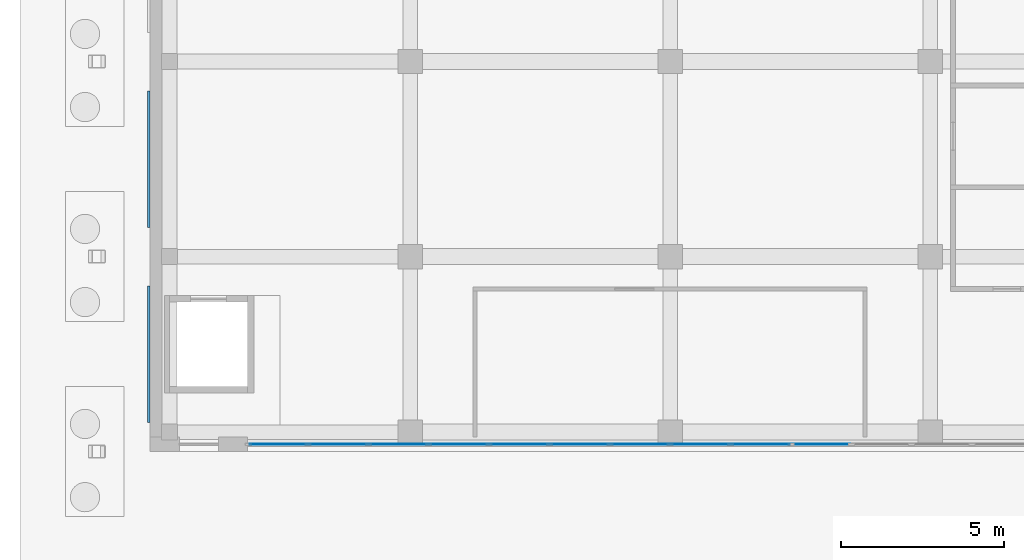
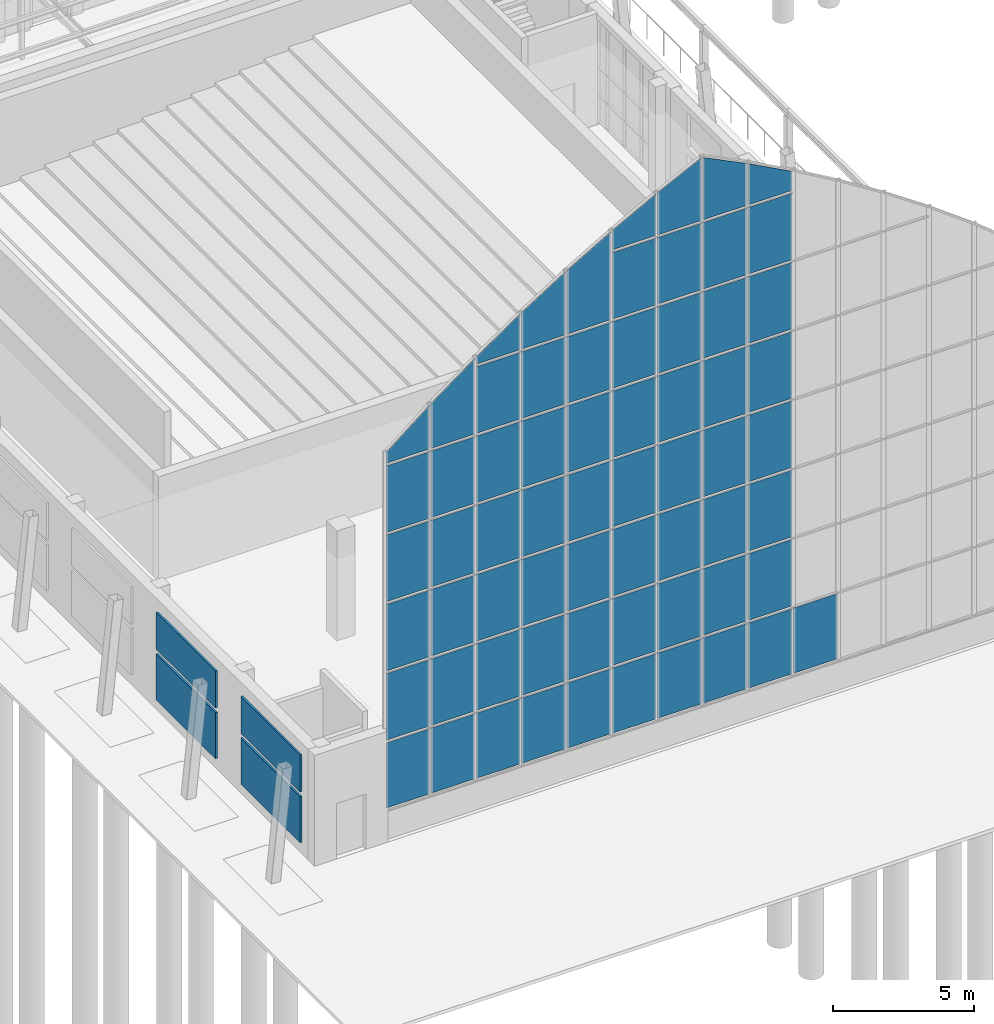
# One storey, part 85 of 144: 70 plates, 1 element without a shape of its own.
"""IFC4 building model written with IfcOpenShell, lengths in metres."""

from ifc_helpers import new_model, si_unit, direction, frame, origin, origin_2d, place, context, subcontext, project, spatial, polyline, rectangle, outline, extrude, material, layer, layer_set, type_object, element, aggregate, save


model = new_model("IFC4")

# Units and contexts
model_context = context("Model", 3, precision=1e-05, world=origin(), true_north=direction((0.0, 1.0)))
body_context = subcontext(model_context, "Body", "Model", "MODEL_VIEW")
ifc_project = project(units=[si_unit("LENGTHUNIT", "METRE"), si_unit("AREAUNIT", "SQUARE_METRE"), si_unit("VOLUMEUNIT", "CUBIC_METRE"), si_unit("PLANEANGLEUNIT", "RADIAN"), si_unit("MASSUNIT", "GRAM", prefix="KILO")], contexts=[model_context])

# Site, building, storey
site_placement = place(None, origin())
site = spatial("IfcSite", under=ifc_project, at=site_placement, CompositionType="ELEMENT")
building_placement = place(site_placement, origin())
building = spatial("IfcBuilding", under=site, at=building_placement, Name="Lantern Court Media Centre", CompositionType="ELEMENT")
storey_placement = place(building_placement, origin())
storey = spatial("IfcBuildingStorey", under=building, at=storey_placement, Name="L00", CompositionType="ELEMENT", Elevation=0.0)

# Curtain wall, plates
ifc_material_1 = material(Name="Aluminium and glass", Category="aluminium")
ifc_layer_1 = layer(ifc_material_1, 0.14990234375)
ifc_layer_set_1 = layer_set([ifc_layer_1], Name="Aluminium and glass")
curtain_wall_type = type_object("IfcCurtainWallType", Name="Hall lancet glazing", PredefinedType="NOTDEFINED", material=ifc_layer_set_1)
curtain_wall_placement = place(storey_placement, origin())
curtain_wall = element("IfcCurtainWall", 1, at=curtain_wall_placement, inside=storey, type_object=curtain_wall_type, Name="Cinema Hall HCW-V10 glazing", PredefinedType="NOTDEFINED")
ifc_material_2 = material(Name="Laminated glass 6+6", Category="glass")
ifc_layer_2 = layer(ifc_material_2, 0.028076171875)
ifc_layer_set_2 = layer_set([ifc_layer_2], Name="Laminated glass 6+6")
plate_type_1 = type_object("IfcPlateType", Name="HP", PredefinedType="CURTAIN_PANEL", material=ifc_layer_set_2)
plate_1_placement = place(storey_placement, frame((3.943603515625, -1.77490234375, 1.31982421875), z_axis=(0.0, 0.0, 1.0), x_axis=(1.0, 0.0, 0.0)))
plate_1 = element("IfcPlate", 2, at=plate_1_placement, type_object=plate_type_1, Name="HCW-V10 panel 1.1", PredefinedType="CURTAIN_PANEL", context=body_context, shape_type="SweptSolid", body=[
    extrude(rectangle(XDim=1.76708984375, YDim=0.028076171875, at=origin_2d()), origin(), (0.0, 0.0, 1.0), 2.820068359375),
])
plate_2_placement = place(storey_placement, frame((3.943603515625, -1.77490234375, 4.260009765625), z_axis=(0.0, 0.0, 1.0), x_axis=(1.0, 0.0, 0.0)))
plate_2 = element("IfcPlate", 3, at=plate_2_placement, type_object=plate_type_1, Name="HCW-V10 panel 1.2", PredefinedType="CURTAIN_PANEL", context=body_context, shape_type="SweptSolid", body=[
    extrude(rectangle(XDim=1.76708984375, YDim=0.028076171875, at=origin_2d()), origin(), (0.0, 0.0, 1.0), 2.8798828125),
])
plate_3_placement = place(storey_placement, frame((3.943603515625, -1.77490234375, 7.260009765625), z_axis=(0.0, 0.0, 1.0), x_axis=(1.0, 0.0, 0.0)))
plate_3 = element("IfcPlate", 4, at=plate_3_placement, type_object=plate_type_1, Name="HCW-V10 panel 1.3", PredefinedType="CURTAIN_PANEL", context=body_context, shape_type="SweptSolid", body=[
    extrude(rectangle(XDim=1.76708984375, YDim=0.028076171875, at=origin_2d()), origin(), (0.0, 0.0, 1.0), 2.8798828125),
])
plate_4_placement = place(storey_placement, frame((3.943603515625, -1.77490234375, 10.260009765625), z_axis=(0.0, 0.0, 1.0), x_axis=(1.0, 0.0, 0.0)))
plate_4 = element("IfcPlate", 5, at=plate_4_placement, type_object=plate_type_1, Name="HCW-V10 panel 1.4", PredefinedType="CURTAIN_PANEL", context=body_context, shape_type="SweptSolid", body=[
    extrude(rectangle(XDim=1.76708984375, YDim=0.028076171875, at=origin_2d()), origin(), (0.0, 0.0, 1.0), 2.8798828125),
])
plate_5_placement = place(storey_placement, frame((3.943603515625, -1.77490234375, 13.260009765625), z_axis=(0.0, 0.0, 1.0), x_axis=(1.0, 0.0, 0.0)))
plate_5 = element("IfcPlate", 6, at=plate_5_placement, type_object=plate_type_1, Name="HCW-V10 panel 1.5", PredefinedType="CURTAIN_PANEL", context=body_context, shape_type="SweptSolid", body=[
    extrude(rectangle(XDim=1.76708984375, YDim=0.028076171875, at=origin_2d()), origin(), (0.0, 0.0, 1.0), 2.8798828125),
])
plate_6_placement = place(storey_placement, frame((3.06005859375, -1.7890625, 16.260009765625), z_axis=(0.0, -1.0, 0.0), x_axis=(1.0, 0.0, 0.0)))
plate_6 = element("IfcPlate", 7, at=plate_6_placement, type_object=plate_type_1, Name="HCW-V10 head panel", PredefinedType="CURTAIN_PANEL", context=body_context, shape_type="SweptSolid", body=[
    extrude(outline(polyline([(0.0, 0.0), (1.76708984375, 0.0), (1.76708984375, 1.883056640625), (0.0, 0.46142578125), (0.0, 0.0)])), origin(), (0.0, 0.0, -1.0), 0.028076171875),
])
plate_7_placement = place(storey_placement, frame((5.78564453125, -1.77490234375, 1.31982421875), z_axis=(0.0, 0.0, 1.0), x_axis=(1.0, 0.0, 0.0)))
plate_7 = element("IfcPlate", 8, at=plate_7_placement, type_object=plate_type_1, Name="HCW-V10 panel 2.1", PredefinedType="CURTAIN_PANEL", context=body_context, shape_type="SweptSolid", body=[
    extrude(rectangle(XDim=1.797119140625, YDim=0.028076171875, at=origin_2d()), origin(), (0.0, 0.0, 1.0), 2.820068359375),
])
plate_8_placement = place(storey_placement, frame((5.78564453125, -1.77490234375, 4.260009765625), z_axis=(0.0, 0.0, 1.0), x_axis=(1.0, 0.0, 0.0)))
plate_8 = element("IfcPlate", 9, at=plate_8_placement, type_object=plate_type_1, Name="HCW-V10 panel 2.2", PredefinedType="CURTAIN_PANEL", context=body_context, shape_type="SweptSolid", body=[
    extrude(rectangle(XDim=1.797119140625, YDim=0.028076171875, at=origin_2d()), origin(), (0.0, 0.0, 1.0), 2.8798828125),
])
plate_9_placement = place(storey_placement, frame((5.78564453125, -1.77490234375, 7.260009765625), z_axis=(0.0, 0.0, 1.0), x_axis=(1.0, 0.0, 0.0)))
plate_9 = element("IfcPlate", 10, at=plate_9_placement, type_object=plate_type_1, Name="HCW-V10 panel 2.3", PredefinedType="CURTAIN_PANEL", context=body_context, shape_type="SweptSolid", body=[
    extrude(rectangle(XDim=1.797119140625, YDim=0.028076171875, at=origin_2d()), origin(), (0.0, 0.0, 1.0), 2.8798828125),
])
plate_10_placement = place(storey_placement, frame((5.78564453125, -1.77490234375, 10.260009765625), z_axis=(0.0, 0.0, 1.0), x_axis=(1.0, 0.0, 0.0)))
plate_10 = element("IfcPlate", 11, at=plate_10_placement, type_object=plate_type_1, Name="HCW-V10 panel 2.4", PredefinedType="CURTAIN_PANEL", context=body_context, shape_type="SweptSolid", body=[
    extrude(rectangle(XDim=1.797119140625, YDim=0.028076171875, at=origin_2d()), origin(), (0.0, 0.0, 1.0), 2.8798828125),
])
plate_11_placement = place(storey_placement, frame((5.78564453125, -1.77490234375, 13.260009765625), z_axis=(0.0, 0.0, 1.0), x_axis=(1.0, 0.0, 0.0)))
plate_11 = element("IfcPlate", 12, at=plate_11_placement, type_object=plate_type_1, Name="HCW-V10 panel 2.5", PredefinedType="CURTAIN_PANEL", context=body_context, shape_type="SweptSolid", body=[
    extrude(rectangle(XDim=1.797119140625, YDim=0.028076171875, at=origin_2d()), origin(), (0.0, 0.0, 1.0), 2.8798828125),
])
plate_12_placement = place(storey_placement, frame((4.88720703125, -1.7890625, 16.260009765625), z_axis=(0.0, -1.0, 0.0), x_axis=(1.0, 0.0, 0.0)))
plate_12 = element("IfcPlate", 13, at=plate_12_placement, type_object=plate_type_1, Name="HCW-V10 head panel", PredefinedType="CURTAIN_PANEL", context=body_context, shape_type="SweptSolid", body=[
    extrude(outline(polyline([(0.0, 0.0), (1.797119140625, 0.0), (1.797119140625, 3.263427734375), (0.0, 1.929443359375), (0.0, 0.0)])), origin(), (0.0, 0.0, -1.0), 0.028076171875),
])
plate_13_placement = place(storey_placement, frame((7.642822265625, -1.77490234375, 1.31982421875), z_axis=(0.0, 0.0, 1.0), x_axis=(1.0, 0.0, 0.0)))
plate_13 = element("IfcPlate", 14, at=plate_13_placement, type_object=plate_type_1, Name="HCW-V10 panel 3.1", PredefinedType="CURTAIN_PANEL", context=body_context, shape_type="SweptSolid", body=[
    extrude(rectangle(XDim=1.797119140625, YDim=0.028076171875, at=origin_2d()), origin(), (0.0, 0.0, 1.0), 2.820068359375),
])
plate_14_placement = place(storey_placement, frame((7.642822265625, -1.77490234375, 4.260009765625), z_axis=(0.0, 0.0, 1.0), x_axis=(1.0, 0.0, 0.0)))
plate_14 = element("IfcPlate", 15, at=plate_14_placement, type_object=plate_type_1, Name="HCW-V10 panel 3.2", PredefinedType="CURTAIN_PANEL", context=body_context, shape_type="SweptSolid", body=[
    extrude(rectangle(XDim=1.797119140625, YDim=0.028076171875, at=origin_2d()), origin(), (0.0, 0.0, 1.0), 2.8798828125),
])
plate_15_placement = place(storey_placement, frame((7.642822265625, -1.77490234375, 7.260009765625), z_axis=(0.0, 0.0, 1.0), x_axis=(1.0, 0.0, 0.0)))
plate_15 = element("IfcPlate", 16, at=plate_15_placement, type_object=plate_type_1, Name="HCW-V10 panel 3.3", PredefinedType="CURTAIN_PANEL", context=body_context, shape_type="SweptSolid", body=[
    extrude(rectangle(XDim=1.797119140625, YDim=0.028076171875, at=origin_2d()), origin(), (0.0, 0.0, 1.0), 2.8798828125),
])
plate_16_placement = place(storey_placement, frame((7.642822265625, -1.77490234375, 10.260009765625), z_axis=(0.0, 0.0, 1.0), x_axis=(1.0, 0.0, 0.0)))
plate_16 = element("IfcPlate", 17, at=plate_16_placement, type_object=plate_type_1, Name="HCW-V10 panel 3.4", PredefinedType="CURTAIN_PANEL", context=body_context, shape_type="SweptSolid", body=[
    extrude(rectangle(XDim=1.797119140625, YDim=0.028076171875, at=origin_2d()), origin(), (0.0, 0.0, 1.0), 2.8798828125),
])
plate_17_placement = place(storey_placement, frame((7.642822265625, -1.77490234375, 13.260009765625), z_axis=(0.0, 0.0, 1.0), x_axis=(1.0, 0.0, 0.0)))
plate_17 = element("IfcPlate", 18, at=plate_17_placement, type_object=plate_type_1, Name="HCW-V10 panel 3.5", PredefinedType="CURTAIN_PANEL", context=body_context, shape_type="SweptSolid", body=[
    extrude(rectangle(XDim=1.797119140625, YDim=0.028076171875, at=origin_2d()), origin(), (0.0, 0.0, 1.0), 2.8798828125),
])
plate_18_placement = place(storey_placement, frame((7.642822265625, -1.77490234375, 16.260009765625), z_axis=(0.0, 0.0, 1.0), x_axis=(1.0, 0.0, 0.0)))
plate_18 = element("IfcPlate", 19, at=plate_18_placement, type_object=plate_type_1, Name="HCW-V10 panel 3.6", PredefinedType="CURTAIN_PANEL", context=body_context, shape_type="SweptSolid", body=[
    extrude(rectangle(XDim=1.797119140625, YDim=0.028076171875, at=origin_2d()), origin(), (0.0, 0.0, 1.0), 2.8798828125),
])
plate_19_placement = place(storey_placement, frame((6.744384765625, -1.7890625, 19.260009765625), z_axis=(0.0, -1.0, 0.0), x_axis=(1.0, 0.0, 0.0)))
plate_19 = element("IfcPlate", 20, at=plate_19_placement, type_object=plate_type_1, Name="HCW-V10 head panel", PredefinedType="CURTAIN_PANEL", context=body_context, shape_type="SweptSolid", body=[
    extrude(outline(polyline([(0.0, 0.0), (1.797119140625, 0.0), (1.797119140625, 1.537353515625), (0.0, 0.306396484375), (0.0, 0.0)])), origin(), (0.0, 0.0, -1.0), 0.028076171875),
])
plate_20_placement = place(storey_placement, frame((9.5, -1.77490234375, 1.31982421875), z_axis=(0.0, 0.0, 1.0), x_axis=(1.0, 0.0, 0.0)))
plate_20 = element("IfcPlate", 21, at=plate_20_placement, type_object=plate_type_1, Name="HCW-V10 panel 4.1", PredefinedType="CURTAIN_PANEL", context=body_context, shape_type="SweptSolid", body=[
    extrude(rectangle(XDim=1.797119140625, YDim=0.028076171875, at=origin_2d()), origin(), (0.0, 0.0, 1.0), 2.820068359375),
])
plate_21_placement = place(storey_placement, frame((9.5, -1.77490234375, 4.260009765625), z_axis=(0.0, 0.0, 1.0), x_axis=(1.0, 0.0, 0.0)))
plate_21 = element("IfcPlate", 22, at=plate_21_placement, type_object=plate_type_1, Name="HCW-V10 panel 4.2", PredefinedType="CURTAIN_PANEL", context=body_context, shape_type="SweptSolid", body=[
    extrude(rectangle(XDim=1.797119140625, YDim=0.028076171875, at=origin_2d()), origin(), (0.0, 0.0, 1.0), 2.8798828125),
])
plate_22_placement = place(storey_placement, frame((9.5, -1.77490234375, 7.260009765625), z_axis=(0.0, 0.0, 1.0), x_axis=(1.0, 0.0, 0.0)))
plate_22 = element("IfcPlate", 23, at=plate_22_placement, type_object=plate_type_1, Name="HCW-V10 panel 4.3", PredefinedType="CURTAIN_PANEL", context=body_context, shape_type="SweptSolid", body=[
    extrude(rectangle(XDim=1.797119140625, YDim=0.028076171875, at=origin_2d()), origin(), (0.0, 0.0, 1.0), 2.8798828125),
])
plate_23_placement = place(storey_placement, frame((9.5, -1.77490234375, 10.260009765625), z_axis=(0.0, 0.0, 1.0), x_axis=(1.0, 0.0, 0.0)))
plate_23 = element("IfcPlate", 24, at=plate_23_placement, type_object=plate_type_1, Name="HCW-V10 panel 4.4", PredefinedType="CURTAIN_PANEL", context=body_context, shape_type="SweptSolid", body=[
    extrude(rectangle(XDim=1.797119140625, YDim=0.028076171875, at=origin_2d()), origin(), (0.0, 0.0, 1.0), 2.8798828125),
])
plate_24_placement = place(storey_placement, frame((9.5, -1.77490234375, 13.260009765625), z_axis=(0.0, 0.0, 1.0), x_axis=(1.0, 0.0, 0.0)))
plate_24 = element("IfcPlate", 25, at=plate_24_placement, type_object=plate_type_1, Name="HCW-V10 panel 4.5", PredefinedType="CURTAIN_PANEL", context=body_context, shape_type="SweptSolid", body=[
    extrude(rectangle(XDim=1.797119140625, YDim=0.028076171875, at=origin_2d()), origin(), (0.0, 0.0, 1.0), 2.8798828125),
])
plate_25_placement = place(storey_placement, frame((9.5, -1.77490234375, 16.260009765625), z_axis=(0.0, 0.0, 1.0), x_axis=(1.0, 0.0, 0.0)))
plate_25 = element("IfcPlate", 26, at=plate_25_placement, type_object=plate_type_1, Name="HCW-V10 panel 4.6", PredefinedType="CURTAIN_PANEL", context=body_context, shape_type="SweptSolid", body=[
    extrude(rectangle(XDim=1.797119140625, YDim=0.028076171875, at=origin_2d()), origin(), (0.0, 0.0, 1.0), 2.8798828125),
])
plate_26_placement = place(storey_placement, frame((8.601318359375, -1.7890625, 19.260009765625), z_axis=(0.0, -1.0, 0.0), x_axis=(1.0, 0.0, 0.0)))
plate_26 = element("IfcPlate", 27, at=plate_26_placement, type_object=plate_type_1, Name="HCW-V10 head panel", PredefinedType="CURTAIN_PANEL", context=body_context, shape_type="SweptSolid", body=[
    extrude(outline(polyline([(0.0, 0.0), (1.79736328125, 0.0), (1.79736328125, 2.712158203125), (0.0, 1.57666015625), (0.0, 0.0)])), origin(), (0.0, 0.0, -1.0), 0.028076171875),
])
plate_27_placement = place(storey_placement, frame((11.357177734375, -1.77490234375, 1.31982421875), z_axis=(0.0, 0.0, 1.0), x_axis=(1.0, 0.0, 0.0)))
plate_27 = element("IfcPlate", 28, at=plate_27_placement, type_object=plate_type_1, Name="HCW-V10 panel 5.1", PredefinedType="CURTAIN_PANEL", context=body_context, shape_type="SweptSolid", body=[
    extrude(rectangle(XDim=1.797119140625, YDim=0.028076171875, at=origin_2d()), origin(), (0.0, 0.0, 1.0), 2.820068359375),
])
plate_28_placement = place(storey_placement, frame((11.357177734375, -1.77490234375, 4.260009765625), z_axis=(0.0, 0.0, 1.0), x_axis=(1.0, 0.0, 0.0)))
plate_28 = element("IfcPlate", 29, at=plate_28_placement, type_object=plate_type_1, Name="HCW-V10 panel 5.2", PredefinedType="CURTAIN_PANEL", context=body_context, shape_type="SweptSolid", body=[
    extrude(rectangle(XDim=1.797119140625, YDim=0.028076171875, at=origin_2d()), origin(), (0.0, 0.0, 1.0), 2.8798828125),
])
plate_29_placement = place(storey_placement, frame((11.357177734375, -1.77490234375, 7.260009765625), z_axis=(0.0, 0.0, 1.0), x_axis=(1.0, 0.0, 0.0)))
plate_29 = element("IfcPlate", 30, at=plate_29_placement, type_object=plate_type_1, Name="HCW-V10 panel 5.3", PredefinedType="CURTAIN_PANEL", context=body_context, shape_type="SweptSolid", body=[
    extrude(rectangle(XDim=1.797119140625, YDim=0.028076171875, at=origin_2d()), origin(), (0.0, 0.0, 1.0), 2.8798828125),
])
plate_30_placement = place(storey_placement, frame((11.357177734375, -1.77490234375, 10.260009765625), z_axis=(0.0, 0.0, 1.0), x_axis=(1.0, 0.0, 0.0)))
plate_30 = element("IfcPlate", 31, at=plate_30_placement, type_object=plate_type_1, Name="HCW-V10 panel 5.4", PredefinedType="CURTAIN_PANEL", context=body_context, shape_type="SweptSolid", body=[
    extrude(rectangle(XDim=1.797119140625, YDim=0.028076171875, at=origin_2d()), origin(), (0.0, 0.0, 1.0), 2.8798828125),
])
plate_31_placement = place(storey_placement, frame((11.357177734375, -1.77490234375, 13.260009765625), z_axis=(0.0, 0.0, 1.0), x_axis=(1.0, 0.0, 0.0)))
plate_31 = element("IfcPlate", 32, at=plate_31_placement, type_object=plate_type_1, Name="HCW-V10 panel 5.5", PredefinedType="CURTAIN_PANEL", context=body_context, shape_type="SweptSolid", body=[
    extrude(rectangle(XDim=1.797119140625, YDim=0.028076171875, at=origin_2d()), origin(), (0.0, 0.0, 1.0), 2.8798828125),
])
plate_32_placement = place(storey_placement, frame((11.357177734375, -1.77490234375, 16.260009765625), z_axis=(0.0, 0.0, 1.0), x_axis=(1.0, 0.0, 0.0)))
plate_32 = element("IfcPlate", 33, at=plate_32_placement, type_object=plate_type_1, Name="HCW-V10 panel 5.6", PredefinedType="CURTAIN_PANEL", context=body_context, shape_type="SweptSolid", body=[
    extrude(rectangle(XDim=1.797119140625, YDim=0.028076171875, at=origin_2d()), origin(), (0.0, 0.0, 1.0), 2.8798828125),
])
plate_33_placement = place(storey_placement, frame((10.45849609375, -1.7890625, 19.260009765625), z_axis=(0.0, -1.0, 0.0), x_axis=(1.0, 0.0, 0.0)))
plate_33 = element("IfcPlate", 34, at=plate_33_placement, type_object=plate_type_1, Name="HCW-V10 head panel", PredefinedType="CURTAIN_PANEL", context=body_context, shape_type="SweptSolid", body=[
    extrude(outline(polyline([(0.0, 0.0), (1.797119140625, 0.0), (1.797119140625, 3.795166015625), (0.0, 2.74853515625), (0.0, 0.0)])), origin(), (0.0, 0.0, -1.0), 0.028076171875),
])
plate_34_placement = place(storey_placement, frame((13.21435546875, -1.77490234375, 1.31982421875), z_axis=(0.0, 0.0, 1.0), x_axis=(1.0, 0.0, 0.0)))
plate_34 = element("IfcPlate", 35, at=plate_34_placement, type_object=plate_type_1, Name="HCW-V10 panel 6.1", PredefinedType="CURTAIN_PANEL", context=body_context, shape_type="SweptSolid", body=[
    extrude(rectangle(XDim=1.797119140625, YDim=0.028076171875, at=origin_2d()), origin(), (0.0, 0.0, 1.0), 2.820068359375),
])
plate_35_placement = place(storey_placement, frame((13.21435546875, -1.77490234375, 4.260009765625), z_axis=(0.0, 0.0, 1.0), x_axis=(1.0, 0.0, 0.0)))
plate_35 = element("IfcPlate", 36, at=plate_35_placement, type_object=plate_type_1, Name="HCW-V10 panel 6.2", PredefinedType="CURTAIN_PANEL", context=body_context, shape_type="SweptSolid", body=[
    extrude(rectangle(XDim=1.797119140625, YDim=0.028076171875, at=origin_2d()), origin(), (0.0, 0.0, 1.0), 2.8798828125),
])
plate_36_placement = place(storey_placement, frame((13.21435546875, -1.77490234375, 7.260009765625), z_axis=(0.0, 0.0, 1.0), x_axis=(1.0, 0.0, 0.0)))
plate_36 = element("IfcPlate", 37, at=plate_36_placement, type_object=plate_type_1, Name="HCW-V10 panel 6.3", PredefinedType="CURTAIN_PANEL", context=body_context, shape_type="SweptSolid", body=[
    extrude(rectangle(XDim=1.797119140625, YDim=0.028076171875, at=origin_2d()), origin(), (0.0, 0.0, 1.0), 2.8798828125),
])
plate_37_placement = place(storey_placement, frame((13.21435546875, -1.77490234375, 10.260009765625), z_axis=(0.0, 0.0, 1.0), x_axis=(1.0, 0.0, 0.0)))
plate_37 = element("IfcPlate", 38, at=plate_37_placement, type_object=plate_type_1, Name="HCW-V10 panel 6.4", PredefinedType="CURTAIN_PANEL", context=body_context, shape_type="SweptSolid", body=[
    extrude(rectangle(XDim=1.797119140625, YDim=0.028076171875, at=origin_2d()), origin(), (0.0, 0.0, 1.0), 2.8798828125),
])
plate_38_placement = place(storey_placement, frame((13.21435546875, -1.77490234375, 13.260009765625), z_axis=(0.0, 0.0, 1.0), x_axis=(1.0, 0.0, 0.0)))
plate_38 = element("IfcPlate", 39, at=plate_38_placement, type_object=plate_type_1, Name="HCW-V10 panel 6.5", PredefinedType="CURTAIN_PANEL", context=body_context, shape_type="SweptSolid", body=[
    extrude(rectangle(XDim=1.797119140625, YDim=0.028076171875, at=origin_2d()), origin(), (0.0, 0.0, 1.0), 2.8798828125),
])
plate_39_placement = place(storey_placement, frame((13.21435546875, -1.77490234375, 16.260009765625), z_axis=(0.0, 0.0, 1.0), x_axis=(1.0, 0.0, 0.0)))
plate_39 = element("IfcPlate", 40, at=plate_39_placement, type_object=plate_type_1, Name="HCW-V10 panel 6.6", PredefinedType="CURTAIN_PANEL", context=body_context, shape_type="SweptSolid", body=[
    extrude(rectangle(XDim=1.797119140625, YDim=0.028076171875, at=origin_2d()), origin(), (0.0, 0.0, 1.0), 2.8798828125),
])
plate_40_placement = place(storey_placement, frame((13.21435546875, -1.77490234375, 19.260009765625), z_axis=(0.0, 0.0, 1.0), x_axis=(1.0, 0.0, 0.0)))
plate_40 = element("IfcPlate", 41, at=plate_40_placement, type_object=plate_type_1, Name="HCW-V10 panel 6.7", PredefinedType="CURTAIN_PANEL", context=body_context, shape_type="SweptSolid", body=[
    extrude(rectangle(XDim=1.797119140625, YDim=0.028076171875, at=origin_2d()), origin(), (0.0, 0.0, 1.0), 2.8798828125),
])
plate_41_placement = place(storey_placement, frame((12.315673828125, -1.7890625, 22.260009765625), z_axis=(0.0, -1.0, 0.0), x_axis=(1.0, 0.0, 0.0)))
plate_41 = element("IfcPlate", 42, at=plate_41_placement, type_object=plate_type_1, Name="HCW-V10 head panel", PredefinedType="CURTAIN_PANEL", context=body_context, shape_type="SweptSolid", body=[
    extrude(outline(polyline([(0.0, 0.0), (1.797119140625, 0.0), (1.797119140625, 1.791259765625), (0.0, 0.82861328125), (0.0, 0.0)])), origin(), (0.0, 0.0, -1.0), 0.028076171875),
])
plate_42_placement = place(storey_placement, frame((15.071533203125, -1.77490234375, 1.31982421875), z_axis=(0.0, 0.0, 1.0), x_axis=(1.0, 0.0, 0.0)))
plate_42 = element("IfcPlate", 43, at=plate_42_placement, type_object=plate_type_1, Name="HCW-V10 panel 7.1", PredefinedType="CURTAIN_PANEL", context=body_context, shape_type="SweptSolid", body=[
    extrude(rectangle(XDim=1.797119140625, YDim=0.028076171875, at=origin_2d()), origin(), (0.0, 0.0, 1.0), 2.820068359375),
])
plate_43_placement = place(storey_placement, frame((15.071533203125, -1.77490234375, 4.260009765625), z_axis=(0.0, 0.0, 1.0), x_axis=(1.0, 0.0, 0.0)))
plate_43 = element("IfcPlate", 44, at=plate_43_placement, type_object=plate_type_1, Name="HCW-V10 panel 7.2", PredefinedType="CURTAIN_PANEL", context=body_context, shape_type="SweptSolid", body=[
    extrude(rectangle(XDim=1.797119140625, YDim=0.028076171875, at=origin_2d()), origin(), (0.0, 0.0, 1.0), 2.8798828125),
])
plate_44_placement = place(storey_placement, frame((15.071533203125, -1.77490234375, 7.260009765625), z_axis=(0.0, 0.0, 1.0), x_axis=(1.0, 0.0, 0.0)))
plate_44 = element("IfcPlate", 45, at=plate_44_placement, type_object=plate_type_1, Name="HCW-V10 panel 7.3", PredefinedType="CURTAIN_PANEL", context=body_context, shape_type="SweptSolid", body=[
    extrude(rectangle(XDim=1.797119140625, YDim=0.028076171875, at=origin_2d()), origin(), (0.0, 0.0, 1.0), 2.8798828125),
])
plate_45_placement = place(storey_placement, frame((15.071533203125, -1.77490234375, 10.260009765625), z_axis=(0.0, 0.0, 1.0), x_axis=(1.0, 0.0, 0.0)))
plate_45 = element("IfcPlate", 46, at=plate_45_placement, type_object=plate_type_1, Name="HCW-V10 panel 7.4", PredefinedType="CURTAIN_PANEL", context=body_context, shape_type="SweptSolid", body=[
    extrude(rectangle(XDim=1.797119140625, YDim=0.028076171875, at=origin_2d()), origin(), (0.0, 0.0, 1.0), 2.8798828125),
])
plate_46_placement = place(storey_placement, frame((15.071533203125, -1.77490234375, 13.260009765625), z_axis=(0.0, 0.0, 1.0), x_axis=(1.0, 0.0, 0.0)))
plate_46 = element("IfcPlate", 47, at=plate_46_placement, type_object=plate_type_1, Name="HCW-V10 panel 7.5", PredefinedType="CURTAIN_PANEL", context=body_context, shape_type="SweptSolid", body=[
    extrude(rectangle(XDim=1.797119140625, YDim=0.028076171875, at=origin_2d()), origin(), (0.0, 0.0, 1.0), 2.8798828125),
])
plate_47_placement = place(storey_placement, frame((15.071533203125, -1.77490234375, 16.260009765625), z_axis=(0.0, 0.0, 1.0), x_axis=(1.0, 0.0, 0.0)))
plate_47 = element("IfcPlate", 48, at=plate_47_placement, type_object=plate_type_1, Name="HCW-V10 panel 7.6", PredefinedType="CURTAIN_PANEL", context=body_context, shape_type="SweptSolid", body=[
    extrude(rectangle(XDim=1.797119140625, YDim=0.028076171875, at=origin_2d()), origin(), (0.0, 0.0, 1.0), 2.8798828125),
])
plate_48_placement = place(storey_placement, frame((15.071533203125, -1.77490234375, 19.260009765625), z_axis=(0.0, 0.0, 1.0), x_axis=(1.0, 0.0, 0.0)))
plate_48 = element("IfcPlate", 49, at=plate_48_placement, type_object=plate_type_1, Name="HCW-V10 panel 7.7", PredefinedType="CURTAIN_PANEL", context=body_context, shape_type="SweptSolid", body=[
    extrude(rectangle(XDim=1.797119140625, YDim=0.028076171875, at=origin_2d()), origin(), (0.0, 0.0, 1.0), 2.8798828125),
])
plate_49_placement = place(storey_placement, frame((14.1728515625, -1.7890625, 22.260009765625), z_axis=(0.0, -1.0, 0.0), x_axis=(1.0, 0.0, 0.0)))
plate_49 = element("IfcPlate", 50, at=plate_49_placement, type_object=plate_type_1, Name="HCW-V10 head panel", PredefinedType="CURTAIN_PANEL", context=body_context, shape_type="SweptSolid", body=[
    extrude(outline(polyline([(0.0, 0.0), (1.797119140625, 0.0), (1.797119140625, 2.705810546875), (0.0, 1.822265625), (0.0, 0.0)])), origin(), (0.0, 0.0, -1.0), 0.028076171875),
])
plate_50_placement = place(storey_placement, frame((16.928466796875, -1.77490234375, 1.31982421875), z_axis=(0.0, 0.0, 1.0), x_axis=(1.0, 0.0, 0.0)))
plate_50 = element("IfcPlate", 51, at=plate_50_placement, type_object=plate_type_1, Name="HCW-V10 panel 8.1", PredefinedType="CURTAIN_PANEL", context=body_context, shape_type="SweptSolid", body=[
    extrude(rectangle(XDim=1.797119140625, YDim=0.028076171875, at=origin_2d()), origin(), (0.0, 0.0, 1.0), 2.820068359375),
])
plate_51_placement = place(storey_placement, frame((16.928466796875, -1.77490234375, 4.260009765625), z_axis=(0.0, 0.0, 1.0), x_axis=(1.0, 0.0, 0.0)))
plate_51 = element("IfcPlate", 52, at=plate_51_placement, type_object=plate_type_1, Name="HCW-V10 panel 8.2", PredefinedType="CURTAIN_PANEL", context=body_context, shape_type="SweptSolid", body=[
    extrude(rectangle(XDim=1.797119140625, YDim=0.028076171875, at=origin_2d()), origin(), (0.0, 0.0, 1.0), 2.8798828125),
])
plate_52_placement = place(storey_placement, frame((16.928466796875, -1.77490234375, 7.260009765625), z_axis=(0.0, 0.0, 1.0), x_axis=(1.0, 0.0, 0.0)))
plate_52 = element("IfcPlate", 53, at=plate_52_placement, type_object=plate_type_1, Name="HCW-V10 panel 8.3", PredefinedType="CURTAIN_PANEL", context=body_context, shape_type="SweptSolid", body=[
    extrude(rectangle(XDim=1.797119140625, YDim=0.028076171875, at=origin_2d()), origin(), (0.0, 0.0, 1.0), 2.8798828125),
])
plate_53_placement = place(storey_placement, frame((16.928466796875, -1.77490234375, 10.260009765625), z_axis=(0.0, 0.0, 1.0), x_axis=(1.0, 0.0, 0.0)))
plate_53 = element("IfcPlate", 54, at=plate_53_placement, type_object=plate_type_1, Name="HCW-V10 panel 8.4", PredefinedType="CURTAIN_PANEL", context=body_context, shape_type="SweptSolid", body=[
    extrude(rectangle(XDim=1.797119140625, YDim=0.028076171875, at=origin_2d()), origin(), (0.0, 0.0, 1.0), 2.8798828125),
])
plate_54_placement = place(storey_placement, frame((16.928466796875, -1.77490234375, 13.260009765625), z_axis=(0.0, 0.0, 1.0), x_axis=(1.0, 0.0, 0.0)))
plate_54 = element("IfcPlate", 55, at=plate_54_placement, type_object=plate_type_1, Name="HCW-V10 panel 8.5", PredefinedType="CURTAIN_PANEL", context=body_context, shape_type="SweptSolid", body=[
    extrude(rectangle(XDim=1.797119140625, YDim=0.028076171875, at=origin_2d()), origin(), (0.0, 0.0, 1.0), 2.8798828125),
])
plate_55_placement = place(storey_placement, frame((16.928466796875, -1.77490234375, 16.260009765625), z_axis=(0.0, 0.0, 1.0), x_axis=(1.0, 0.0, 0.0)))
plate_55 = element("IfcPlate", 56, at=plate_55_placement, type_object=plate_type_1, Name="HCW-V10 panel 8.6", PredefinedType="CURTAIN_PANEL", context=body_context, shape_type="SweptSolid", body=[
    extrude(rectangle(XDim=1.797119140625, YDim=0.028076171875, at=origin_2d()), origin(), (0.0, 0.0, 1.0), 2.8798828125),
])
plate_56_placement = place(storey_placement, frame((16.928466796875, -1.77490234375, 19.260009765625), z_axis=(0.0, 0.0, 1.0), x_axis=(1.0, 0.0, 0.0)))
plate_56 = element("IfcPlate", 57, at=plate_56_placement, type_object=plate_type_1, Name="HCW-V10 panel 8.7", PredefinedType="CURTAIN_PANEL", context=body_context, shape_type="SweptSolid", body=[
    extrude(rectangle(XDim=1.797119140625, YDim=0.028076171875, at=origin_2d()), origin(), (0.0, 0.0, 1.0), 2.8798828125),
])
plate_57_placement = place(storey_placement, frame((16.030029296875, -1.7890625, 22.260009765625), z_axis=(0.0, -1.0, 0.0), x_axis=(1.0, 0.0, 0.0)))
plate_57 = element("IfcPlate", 58, at=plate_57_placement, type_object=plate_type_1, Name="HCW-V10 head panel", PredefinedType="CURTAIN_PANEL", context=body_context, shape_type="SweptSolid", body=[
    extrude(outline(polyline([(0.0, 0.0), (1.797119140625, 0.0), (1.797119140625, 1.822265625), (0.0, 2.705810546875), (0.0, 0.0)])), origin(), (0.0, 0.0, -1.0), 0.028076171875),
])
plate_58_placement = place(storey_placement, frame((18.78564453125, -1.77490234375, 1.31982421875), z_axis=(0.0, 0.0, 1.0), x_axis=(1.0, 0.0, 0.0)))
plate_58 = element("IfcPlate", 59, at=plate_58_placement, type_object=plate_type_1, Name="HCW-V10 panel 9.1", PredefinedType="CURTAIN_PANEL", context=body_context, shape_type="SweptSolid", body=[
    extrude(rectangle(XDim=1.797119140625, YDim=0.028076171875, at=origin_2d()), origin(), (0.0, 0.0, 1.0), 2.820068359375),
])
plate_59_placement = place(storey_placement, frame((18.78564453125, -1.77490234375, 4.260009765625), z_axis=(0.0, 0.0, 1.0), x_axis=(1.0, 0.0, 0.0)))
plate_59 = element("IfcPlate", 60, at=plate_59_placement, type_object=plate_type_1, Name="HCW-V10 panel 9.2", PredefinedType="CURTAIN_PANEL", context=body_context, shape_type="SweptSolid", body=[
    extrude(rectangle(XDim=1.797119140625, YDim=0.028076171875, at=origin_2d()), origin(), (0.0, 0.0, 1.0), 2.8798828125),
])
plate_60_placement = place(storey_placement, frame((18.78564453125, -1.77490234375, 7.260009765625), z_axis=(0.0, 0.0, 1.0), x_axis=(1.0, 0.0, 0.0)))
plate_60 = element("IfcPlate", 61, at=plate_60_placement, type_object=plate_type_1, Name="HCW-V10 panel 9.3", PredefinedType="CURTAIN_PANEL", context=body_context, shape_type="SweptSolid", body=[
    extrude(rectangle(XDim=1.797119140625, YDim=0.028076171875, at=origin_2d()), origin(), (0.0, 0.0, 1.0), 2.8798828125),
])
plate_61_placement = place(storey_placement, frame((18.78564453125, -1.77490234375, 10.260009765625), z_axis=(0.0, 0.0, 1.0), x_axis=(1.0, 0.0, 0.0)))
plate_61 = element("IfcPlate", 62, at=plate_61_placement, type_object=plate_type_1, Name="HCW-V10 panel 9.4", PredefinedType="CURTAIN_PANEL", context=body_context, shape_type="SweptSolid", body=[
    extrude(rectangle(XDim=1.797119140625, YDim=0.028076171875, at=origin_2d()), origin(), (0.0, 0.0, 1.0), 2.8798828125),
])
plate_62_placement = place(storey_placement, frame((18.78564453125, -1.77490234375, 13.260009765625), z_axis=(0.0, 0.0, 1.0), x_axis=(1.0, 0.0, 0.0)))
plate_62 = element("IfcPlate", 63, at=plate_62_placement, type_object=plate_type_1, Name="HCW-V10 panel 9.5", PredefinedType="CURTAIN_PANEL", context=body_context, shape_type="SweptSolid", body=[
    extrude(rectangle(XDim=1.797119140625, YDim=0.028076171875, at=origin_2d()), origin(), (0.0, 0.0, 1.0), 2.8798828125),
])
plate_63_placement = place(storey_placement, frame((18.78564453125, -1.77490234375, 16.260009765625), z_axis=(0.0, 0.0, 1.0), x_axis=(1.0, 0.0, 0.0)))
plate_63 = element("IfcPlate", 64, at=plate_63_placement, type_object=plate_type_1, Name="HCW-V10 panel 9.6", PredefinedType="CURTAIN_PANEL", context=body_context, shape_type="SweptSolid", body=[
    extrude(rectangle(XDim=1.797119140625, YDim=0.028076171875, at=origin_2d()), origin(), (0.0, 0.0, 1.0), 2.8798828125),
])
plate_64_placement = place(storey_placement, frame((18.78564453125, -1.77490234375, 19.260009765625), z_axis=(0.0, 0.0, 1.0), x_axis=(1.0, 0.0, 0.0)))
plate_64 = element("IfcPlate", 65, at=plate_64_placement, type_object=plate_type_1, Name="HCW-V10 panel 9.7", PredefinedType="CURTAIN_PANEL", context=body_context, shape_type="SweptSolid", body=[
    extrude(rectangle(XDim=1.797119140625, YDim=0.028076171875, at=origin_2d()), origin(), (0.0, 0.0, 1.0), 2.8798828125),
])
plate_65_placement = place(storey_placement, frame((17.88720703125, -1.7890625, 22.260009765625), z_axis=(0.0, -1.0, 0.0), x_axis=(1.0, 0.0, 0.0)))
plate_65 = element("IfcPlate", 66, at=plate_65_placement, type_object=plate_type_1, Name="HCW-V10 head panel", PredefinedType="CURTAIN_PANEL", context=body_context, shape_type="SweptSolid", body=[
    extrude(outline(polyline([(0.0, 0.0), (1.797119140625, 0.0), (1.797119140625, 0.82861328125), (0.0, 1.791259765625), (0.0, 0.0)])), origin(), (0.0, 0.0, -1.0), 0.028076171875),
])
plate_66_placement = place(storey_placement, frame((20.642822265625, -1.77490234375, 1.31982421875), z_axis=(0.0, 0.0, 1.0), x_axis=(1.0, 0.0, 0.0)))
plate_66 = element("IfcPlate", 67, at=plate_66_placement, type_object=plate_type_1, Name="HCW-V10 panel 10.1", PredefinedType="CURTAIN_PANEL", context=body_context, shape_type="SweptSolid", body=[
    extrude(rectangle(XDim=1.797119140625, YDim=0.028076171875, at=origin_2d()), origin(), (0.0, 0.0, 1.0), 2.820068359375),
])
aggregate(curtain_wall, [plate_1, plate_2, plate_3, plate_4, plate_5, plate_6, plate_7, plate_8, plate_9, plate_10, plate_11, plate_12, plate_13, plate_14, plate_15, plate_16, plate_17, plate_18, plate_19, plate_20, plate_21, plate_22, plate_23, plate_24, plate_25, plate_26, plate_27, plate_28, plate_29, plate_30, plate_31, plate_32, plate_33, plate_34, plate_35, plate_36, plate_37, plate_38, plate_39, plate_40, plate_41, plate_42, plate_43, plate_44, plate_45, plate_46, plate_47, plate_48, plate_49, plate_50, plate_51, plate_52, plate_53, plate_54, plate_55, plate_56, plate_57, plate_58, plate_59, plate_60, plate_61, plate_62, plate_63, plate_64, plate_65, plate_66])

# Plates
ifc_material_3 = material(Name="Limestone cladding", Category="masonry")
ifc_layer_3 = layer(ifc_material_3, 0.080078125)
ifc_layer_set_3 = layer_set([ifc_layer_3], Name="Limestone cladding")
plate_type_2 = type_object("IfcPlateType", Name="Stone relief panel", PredefinedType="SHEET", material=ifc_layer_set_3)
plate_67_placement = place(storey_placement, frame((-0.0400390625, 1.0, 0.5), z_axis=(0.0, 0.0, 1.0), x_axis=(1.0, 0.0, 0.0)))
element("IfcPlate", 68, at=plate_67_placement, inside=storey, type_object=plate_type_2, Name="Cinema Hall street face relief panel", PredefinedType="SHEET", context=body_context, shape_type="SweptSolid", body=[
    extrude(rectangle(XDim=0.080078125, YDim=4.199951171875, at=origin_2d()), origin(), (0.0, 0.0, 1.0), 2.0),
])
plate_68_placement = place(storey_placement, frame((-0.0400390625, 1.0, 2.699951171875), z_axis=(0.0, 0.0, 1.0), x_axis=(1.0, 0.0, 0.0)))
element("IfcPlate", 69, at=plate_68_placement, inside=storey, type_object=plate_type_2, Name="Cinema Hall street face relief panel", PredefinedType="SHEET", context=body_context, shape_type="SweptSolid", body=[
    extrude(rectangle(XDim=0.080078125, YDim=4.199951171875, at=origin_2d()), origin(), (0.0, 0.0, 1.0), 1.60009765625),
])
plate_69_placement = place(storey_placement, frame((-0.0400390625, 7.0, 0.5), z_axis=(0.0, 0.0, 1.0), x_axis=(1.0, 0.0, 0.0)))
element("IfcPlate", 70, at=plate_69_placement, inside=storey, type_object=plate_type_2, Name="Cinema Hall street face relief panel", PredefinedType="SHEET", context=body_context, shape_type="SweptSolid", body=[
    extrude(rectangle(XDim=0.080078125, YDim=4.199951171875, at=origin_2d()), origin(), (0.0, 0.0, 1.0), 2.0),
])
plate_70_placement = place(storey_placement, frame((-0.0400390625, 7.0, 2.699951171875), z_axis=(0.0, 0.0, 1.0), x_axis=(1.0, 0.0, 0.0)))
element("IfcPlate", 71, at=plate_70_placement, inside=storey, type_object=plate_type_2, Name="Cinema Hall street face relief panel", PredefinedType="SHEET", context=body_context, shape_type="SweptSolid", body=[
    extrude(rectangle(XDim=0.080078125, YDim=4.199951171875, at=origin_2d()), origin(), (0.0, 0.0, 1.0), 1.60009765625),
])

save(model, "model.ifc")
